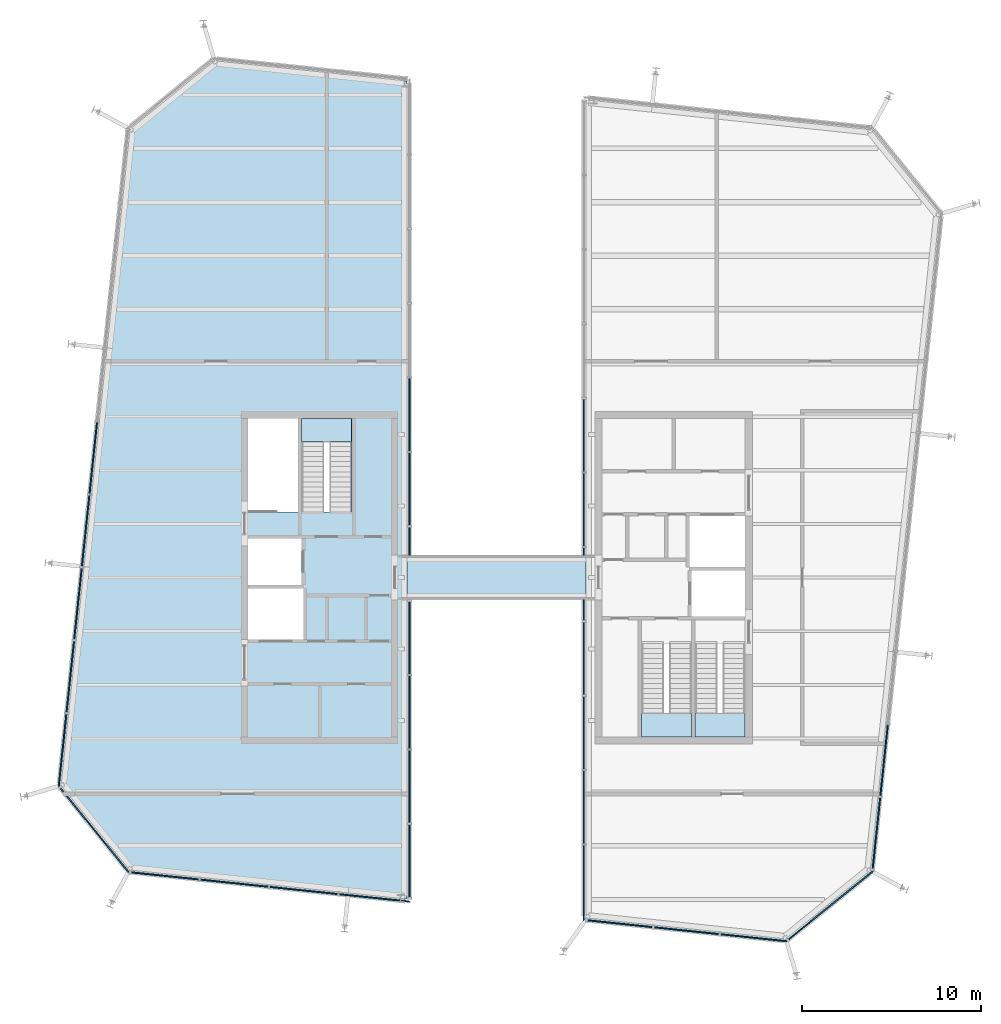
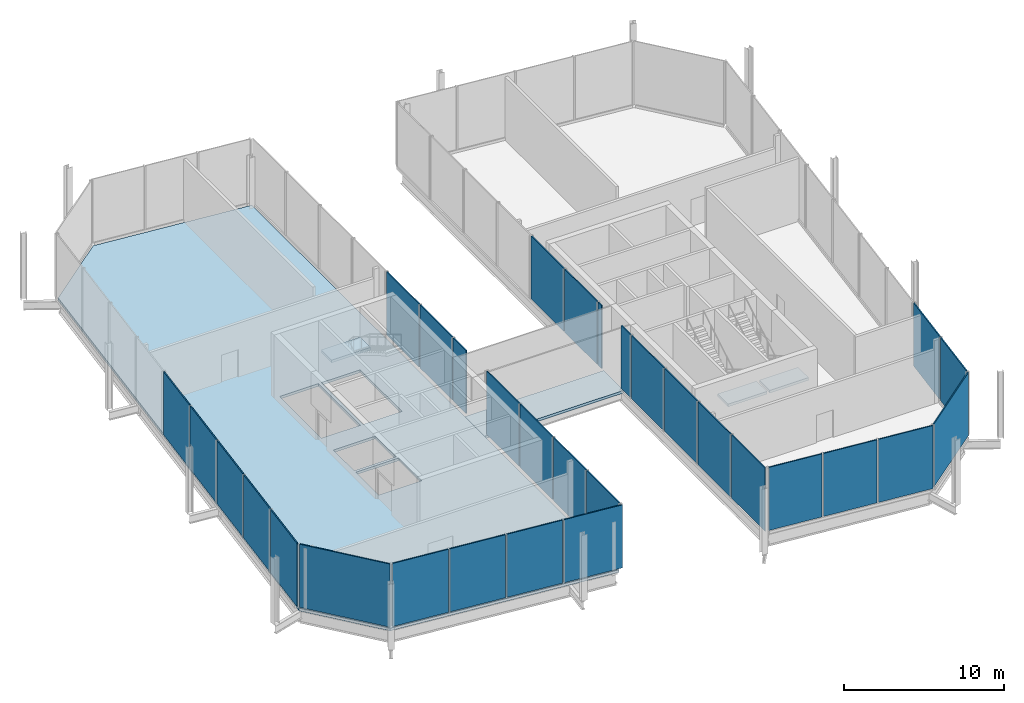
# One storey, part 7 of 12: 31 plates, 5 slabs, 11 elements without a shape of their own.
"""IFC4 building model written with IfcOpenShell, lengths in metres."""

import ifcopenshell
import ifcopenshell.guid

model = None  # the IFC model being written
_history = None  # IfcOwnerHistory: only IFC2X3 demands one
_inside = {}  # id of a spatial element -> (the spatial element, [elements in it])
_under = {}  # id of a project, library or spatial element -> (it, [spatial elements below it])
_declared = {}  # id of a project -> (the project, [libraries it declares])
_typed = {}  # id of a type object -> (the type object, [elements of that type])
_made_of = {}  # id of a material, layer set ... -> (it, [elements and type objects made of it])


def new_model(schema):
    """Start an empty IFC model of exactly this schema.

    Asked for "IFC4X3", IfcOpenShell would pick the latest addendum, in which some entities
    have other attributes; the version numbers below select the first issue.
    IFC2X3 requires an IfcOwnerHistory on every rooted entity: one is made here for all.
    """
    global model, _history
    if schema == "IFC4X3":
        model = ifcopenshell.file(schema_version=(4, 3, 0, 0))
    else:
        model = ifcopenshell.file(schema=schema)
    _inside.clear()
    _under.clear()
    _declared.clear()
    _typed.clear()
    _made_of.clear()
    _history = None
    if model.schema == "IFC2X3":
        org = make("IfcOrganization", Name="unknown")
        user = make(
            "IfcPersonAndOrganization",
            ThePerson=make("IfcPerson", FamilyName="unknown"),
            TheOrganization=org,
        )
        app = make(
            "IfcApplication",
            ApplicationDeveloper=org,
            Version="unknown",
            ApplicationFullName="unknown",
            ApplicationIdentifier="unknown",
        )
        _history = make(
            "IfcOwnerHistory",
            OwningUser=user,
            OwningApplication=app,
            ChangeAction="ADDED",
            CreationDate=0,
        )
    return model


def make(cls, **values):
    """One entity of the class cls with the attributes given. An attribute that is None is left unset."""
    return model.create_entity(
        cls, **{name: value for name, value in values.items() if value is not None}
    )


def rooted(cls, **values):
    """An entity with a GlobalId (a new one), such as an element, a storey or a relation."""
    return make(cls, GlobalId=ifcopenshell.guid.new(), OwnerHistory=_history, **values)


def si_unit(unit_type, name, prefix=None):
    """IfcSIUnit, for example si_unit("LENGTHUNIT", "METRE", prefix="MILLI")."""
    return make("IfcSIUnit", UnitType=unit_type, Prefix=prefix, Name=name)


def assignment(units):
    """IfcUnitAssignment: the units of a project."""
    return None if units is None else make("IfcUnitAssignment", Units=units)


def point(xyz):
    """IfcCartesianPoint."""
    return None if xyz is None else make("IfcCartesianPoint", Coordinates=xyz)


def direction(xyz):
    """IfcDirection."""
    return None if xyz is None else make("IfcDirection", DirectionRatios=xyz)


def frame(location, z_axis=None, x_axis=None):
    """IfcAxis2Placement3D, a coordinate frame: its origin and axes. An axis left out is left unset."""
    return make(
        "IfcAxis2Placement3D",
        Location=point(location),
        Axis=direction(z_axis),
        RefDirection=direction(x_axis),
    )


def origin():
    """The frame at (0, 0, 0) with its axes left unset."""
    return frame((0.0, 0.0, 0.0))


def place(relative_to, where):
    """IfcLocalPlacement: puts the frame where relative to a parent placement (None: the world)."""
    return make(
        "IfcLocalPlacement", PlacementRelTo=relative_to, RelativePlacement=where
    )


def context(
    kind, dimensions, precision=None, world=None, true_north=None, identifier=None
):
    """IfcGeometricRepresentationContext, for example the 3D "Model" context."""
    return make(
        "IfcGeometricRepresentationContext",
        ContextIdentifier=identifier,
        ContextType=kind,
        CoordinateSpaceDimension=dimensions,
        Precision=precision,
        WorldCoordinateSystem=world,
        TrueNorth=true_north,
    )


def subcontext(parent, identifier, kind, view, scale=None):
    """IfcGeometricRepresentationSubContext, for example "Body" below "Model"."""
    return make(
        "IfcGeometricRepresentationSubContext",
        ContextIdentifier=identifier,
        ContextType=kind,
        ParentContext=parent,
        TargetScale=scale,
        TargetView=view,
    )


def project(units=None, contexts=None):
    """IfcProject with its units and contexts."""
    return rooted(
        "IfcProject",
        Name="project",
        RepresentationContexts=contexts,
        UnitsInContext=assignment(units),
    )


def spatial(cls, under=None, at=None, **own):
    """A site, building, storey or space (cls), placed at a placement, below another one or the project."""
    s = rooted(cls, ObjectPlacement=at, **own)
    if under is not None:
        _under.setdefault(under.id(), (under, []))[1].append(s)
    return s


def polyline(points):
    """IfcPolyline through the points."""
    return make("IfcPolyline", Points=[point(p) for p in points])


def outline(outer, holes=None, kind="AREA"):
    """IfcArbitraryClosedProfileDef: a profile drawn as a closed curve; with holes, ...WithVoids."""
    if holes is None:
        return make("IfcArbitraryClosedProfileDef", ProfileType=kind, OuterCurve=outer)
    return make(
        "IfcArbitraryProfileDefWithVoids",
        ProfileType=kind,
        OuterCurve=outer,
        InnerCurves=holes,
    )


def extrude(swept, where, along, depth):
    """IfcExtrudedAreaSolid: the profile swept, set in the frame where, extruded along a direction by depth."""
    return make(
        "IfcExtrudedAreaSolid",
        SweptArea=swept,
        Position=where,
        ExtrudedDirection=direction(along),
        Depth=depth,
    )


def shape(context_of_items, identifier, shape_type, items):
    """IfcShapeRepresentation: the items that make up one representation, for example the "Body"."""
    return make(
        "IfcShapeRepresentation",
        ContextOfItems=context_of_items,
        RepresentationIdentifier=identifier,
        RepresentationType=shape_type,
        Items=items,
    )


def material(Name=None, Category=None):
    """IfcMaterial."""
    return make("IfcMaterial", Name=Name, Category=Category)


def layer(
    of_material, thickness, ventilated=None, Name=None, Category=None, Priority=None
):
    """IfcMaterialLayer: one layer of a wall or slab, of a material (None: an air gap)."""
    return make(
        "IfcMaterialLayer",
        Material=of_material,
        LayerThickness=thickness,
        IsVentilated=ventilated,
        Name=Name,
        Category=Category,
        Priority=Priority,
    )


def layer_set(layers, Name=None):
    """IfcMaterialLayerSet."""
    return make("IfcMaterialLayerSet", MaterialLayers=layers, LayerSetName=Name)


def made_of(thing, what):
    """Note that an element or type object is made of a material, layer set ...; save() writes the relation."""
    if what is not None:
        _made_of.setdefault(what.id(), (what, []))[1].append(thing)
    return thing


def type_object(cls, material=None, **own):
    """A type object (cls), such as IfcWallType, which elements share."""
    return made_of(rooted(cls, **own), material)


def element(
    cls,
    number,
    at=None,
    inside=None,
    cuts=None,
    type_object=None,
    material=None,
    context=None,
    identifier="Body",
    shape_type=None,
    held_by="IfcProductDefinitionShape",
    body=None,
    shapes=None,
    **own,
):
    """One element of the class cls, such as IfcWall. Its Tag is "e" and its number.

    at: its placement. inside: the storey or other place that contains it. cuts: it is an
    opening in that element (IfcRelVoidsElement). A single representation is given by context,
    identifier, shape_type and body (its items); several are given by shapes. held_by: the class
    of the entity that holds the representations. save() writes the other relations.
    """
    e = rooted(cls, Tag="e%d" % number, ObjectPlacement=at, **own)
    if body is not None:
        shapes = [shape(context, identifier, shape_type, body)]
    if shapes is not None:
        e.Representation = make(held_by, Representations=shapes)
    if inside is not None:
        _inside.setdefault(inside.id(), (inside, []))[1].append(e)
    if cuts is not None:
        rooted(
            "IfcRelVoidsElement", RelatingBuildingElement=cuts, RelatedOpeningElement=e
        )
    if type_object is not None:
        _typed.setdefault(type_object.id(), (type_object, []))[1].append(e)
    return made_of(e, material)


def aggregate(whole, parts):
    """IfcRelAggregates: a whole, such as a stair, and the parts it consists of."""
    return rooted("IfcRelAggregates", RelatingObject=whole, RelatedObjects=parts)


def save(model, path):
    """Write the relations noted so far, then the file.

    IfcRelAggregates (storeys below a building ...), IfcRelContainedInSpatialStructure (elements
    in a storey), IfcRelDefinesByType, IfcRelAssociatesMaterial and IfcRelDeclares: one each for
    every whole, place, type object, material and project.
    """
    for whole, parts in _under.values():
        aggregate(whole, parts)
    for where, things in _inside.values():
        rooted(
            "IfcRelContainedInSpatialStructure",
            RelatedElements=things,
            RelatingStructure=where,
        )
    for kind, things in _typed.values():
        rooted("IfcRelDefinesByType", RelatedObjects=things, RelatingType=kind)
    for what, things in _made_of.values():
        rooted("IfcRelAssociatesMaterial", RelatedObjects=things, RelatingMaterial=what)
    for by, libraries in _declared.values():
        rooted("IfcRelDeclares", RelatingContext=by, RelatedDefinitions=libraries)
    model.write(path)


model = new_model("IFC4")

# Units and contexts
model_context = context("Model", 3, precision=1e-05, world=origin(), true_north=direction((0.0, 1.0)))
body_context = subcontext(model_context, "Body", "Model", "MODEL_VIEW")
ifc_project = project(units=[si_unit("LENGTHUNIT", "METRE"), si_unit("AREAUNIT", "SQUARE_METRE"), si_unit("VOLUMEUNIT", "CUBIC_METRE"), si_unit("PLANEANGLEUNIT", "RADIAN"), si_unit("MASSUNIT", "GRAM", prefix="KILO")], contexts=[model_context])

# Site, building, storey
site_placement = place(None, origin())
site = spatial("IfcSite", under=ifc_project, at=site_placement, CompositionType="ELEMENT")
building_placement = place(site_placement, origin())
building = spatial("IfcBuilding", under=site, at=building_placement, Name="Millrace Tower", CompositionType="ELEMENT")
storey_placement = place(building_placement, frame((0.0, 0.0, 347.10009765625)))
storey = spatial("IfcBuildingStorey", under=building, at=storey_placement, Name="L80", CompositionType="ELEMENT", Elevation=347.10009765625)

# Curtain wall, plates
ifc_material_1 = material(Name="Aluminium and glass", Category="aluminium")
ifc_layer_1 = layer(ifc_material_1, 0.25)
ifc_layer_set_1 = layer_set([ifc_layer_1], Name="Aluminium and glass")
curtain_wall_type = type_object("IfcCurtainWallType", Name="CW-7 crown louvred enclosure", PredefinedType="NOTDEFINED", material=ifc_layer_set_1)
placement_1 = place(storey_placement, origin())
curtain_wall_1 = element("IfcCurtainWall", 1, at=placement_1, inside=storey, type_object=curtain_wall_type, Name="Curtain wall CW-F01 L80", PredefinedType="NOTDEFINED")
ifc_material_2 = material(Name="Glass", Category="glass")
ifc_layer_2 = layer(ifc_material_2, 0.080078125)
ifc_layer_set_2 = layer_set([ifc_layer_2], Name="Glass")
plate_type = type_object("IfcPlateType", Name="CW-7 crown louvred enclosure fixed louvre panel", PredefinedType="CURTAIN_PANEL", material=ifc_layer_set_2)
placement_2 = place(storey_placement, frame((0.0, 0.0, 0.199951171875)))
plate_1 = element("IfcPlate", 2, at=placement_2, type_object=plate_type, Name="CW7 panel CW-F01.1", PredefinedType="CURTAIN_PANEL", context=body_context, shape_type="SweptSolid", body=[
    extrude(outline(polyline([(-4.8349609375, -17.878662109375), (-4.8349609375, -13.819580078125), (-4.9150390625, -13.819580078125), (-4.9150390625, -17.878662109375), (-4.8349609375, -17.878662109375)])), origin(), (0.0, 0.0, 1.0), 4.800048828125),
])
plate_2 = element("IfcPlate", 3, at=placement_2, type_object=plate_type, Name="CW7 panel CW-F01.2", PredefinedType="CURTAIN_PANEL", context=body_context, shape_type="SweptSolid", body=[
    extrude(outline(polyline([(-4.8349609375, -13.7197265625), (-4.8349609375, -9.660400390625), (-4.9150390625, -9.660400390625), (-4.9150390625, -13.7197265625), (-4.8349609375, -13.7197265625)])), origin(), (0.0, 0.0, 1.0), 4.800048828125),
])
plate_3 = element("IfcPlate", 4, at=placement_2, type_object=plate_type, Name="CW7 panel CW-F01.3", PredefinedType="CURTAIN_PANEL", context=body_context, shape_type="SweptSolid", body=[
    extrude(outline(polyline([(-4.8349609375, -9.560546875), (-4.8349609375, -5.501220703125), (-4.9150390625, -5.501220703125), (-4.9150390625, -9.560546875), (-4.8349609375, -9.560546875)])), origin(), (0.0, 0.0, 1.0), 4.800048828125),
])
plate_4 = element("IfcPlate", 5, at=placement_2, type_object=plate_type, Name="CW7 panel CW-F01.4", PredefinedType="CURTAIN_PANEL", context=body_context, shape_type="SweptSolid", body=[
    extrude(outline(polyline([(-4.8349609375, -5.4013671875), (-4.8349609375, -1.34228515625), (-4.9150390625, -1.34228515625), (-4.9150390625, -5.4013671875), (-4.8349609375, -5.4013671875)])), origin(), (0.0, 0.0, 1.0), 4.800048828125),
])
plate_5 = element("IfcPlate", 6, at=placement_2, type_object=plate_type, Name="CW7 panel CW-F01.6", PredefinedType="CURTAIN_PANEL", context=body_context, shape_type="SweptSolid", body=[
    extrude(outline(polyline([(-4.8349609375, 2.9169921875), (-4.8349609375, 6.97607421875), (-4.9150390625, 6.97607421875), (-4.9150390625, 2.9169921875), (-4.8349609375, 2.9169921875)])), origin(), (0.0, 0.0, 1.0), 4.800048828125),
])
plate_6 = element("IfcPlate", 7, at=placement_2, type_object=plate_type, Name="CW7 panel CW-F01.7", PredefinedType="CURTAIN_PANEL", context=body_context, shape_type="SweptSolid", body=[
    extrude(outline(polyline([(-4.8349609375, 7.076171875), (-4.8349609375, 11.13525390625), (-4.9150390625, 11.13525390625), (-4.9150390625, 7.076171875), (-4.8349609375, 7.076171875)])), origin(), (0.0, 0.0, 1.0), 4.800048828125),
])

curtain_wall_2 = element("IfcCurtainWall", 8, at=placement_1, inside=storey, type_object=curtain_wall_type, Name="Curtain wall CW-F04 L80", PredefinedType="NOTDEFINED")
plate_7 = element("IfcPlate", 9, at=placement_2, type_object=plate_type, Name="CW7 panel CW-F04.5", PredefinedType="CURTAIN_PANEL", context=body_context, shape_type="SweptSolid", body=[
    extrude(outline(polyline([(-22.3857421875, 8.6845703125), (-22.8037109375, 4.70654296875), (-22.72412109375, 4.6982421875), (-22.30615234375, 8.67626953125), (-22.3857421875, 8.6845703125)])), origin(), (0.0, 0.0, 1.0), 4.800048828125),
])
plate_8 = element("IfcPlate", 10, at=placement_2, type_object=plate_type, Name="CW7 panel CW-F04.6", PredefinedType="CURTAIN_PANEL", context=body_context, shape_type="SweptSolid", body=[
    extrude(outline(polyline([(-22.814208984375, 4.60693359375), (-23.232421875, 0.62890625), (-23.15283203125, 0.62060546875), (-22.734619140625, 4.5986328125), (-22.814208984375, 4.60693359375)])), origin(), (0.0, 0.0, 1.0), 4.800048828125),
])
plate_9 = element("IfcPlate", 11, at=placement_2, type_object=plate_type, Name="CW7 panel CW-F04.7", PredefinedType="CURTAIN_PANEL", context=body_context, shape_type="SweptSolid", body=[
    extrude(outline(polyline([(-23.24267578125, 0.529541015625), (-23.660888671875, -3.448486328125), (-23.581298828125, -3.45703125), (-23.163330078125, 0.521240234375), (-23.24267578125, 0.529541015625)])), origin(), (0.0, 0.0, 1.0), 4.800048828125),
])
plate_10 = element("IfcPlate", 12, at=placement_2, type_object=plate_type, Name="CW7 panel CW-F04.8", PredefinedType="CURTAIN_PANEL", context=body_context, shape_type="SweptSolid", body=[
    extrude(outline(polyline([(-23.67138671875, -3.548095703125), (-24.08935546875, -7.526123046875), (-24.010009765625, -7.534423828125), (-23.591796875, -3.556396484375), (-23.67138671875, -3.548095703125)])), origin(), (0.0, 0.0, 1.0), 4.800048828125),
])
plate_11 = element("IfcPlate", 13, at=placement_2, type_object=plate_type, Name="CW7 panel CW-F04.9", PredefinedType="CURTAIN_PANEL", context=body_context, shape_type="SweptSolid", body=[
    extrude(outline(polyline([(-24.099853515625, -7.62548828125), (-24.525146484375, -11.671630859375), (-24.442138671875, -11.64697265625), (-24.020263671875, -7.634033203125), (-24.099853515625, -7.62548828125)])), origin(), (0.0, 0.0, 1.0), 4.800048828125),
])
aggregate(curtain_wall_2, [plate_7, plate_8, plate_9, plate_10, plate_11])

# Curtain wall, plate
curtain_wall_3 = element("IfcCurtainWall", 14, at=placement_1, inside=storey, type_object=curtain_wall_type, Name="Curtain wall CW-F05 L80", PredefinedType="NOTDEFINED")
plate_12 = element("IfcPlate", 15, at=placement_2, type_object=plate_type, Name="CW7 panel CW-F05.1", PredefinedType="CURTAIN_PANEL", context=body_context, shape_type="SweptSolid", body=[
    extrude(outline(polyline([(-24.419189453125, -11.802490234375), (-20.612060546875, -16.503662109375), (-20.57080078125, -16.427734375), (-24.35693359375, -11.752197265625), (-24.419189453125, -11.802490234375)])), origin(), (0.0, 0.0, 1.0), 4.800048828125),
])
aggregate(curtain_wall_3, [plate_12])

# Curtain wall, plates
curtain_wall_4 = element("IfcCurtainWall", 16, at=placement_1, inside=storey, type_object=curtain_wall_type, Name="Curtain wall CW-F06 L80", PredefinedType="NOTDEFINED")
plate_13 = element("IfcPlate", 17, at=placement_2, type_object=plate_type, Name="CW7 panel CW-F06.1", PredefinedType="CURTAIN_PANEL", context=body_context, shape_type="SweptSolid", body=[
    extrude(outline(polyline([(-20.44482421875, -16.521484375), (-16.662353515625, -16.9189453125), (-16.654052734375, -16.83935546875), (-20.436279296875, -16.44189453125), (-20.44482421875, -16.521484375)])), origin(), (0.0, 0.0, 1.0), 4.800048828125),
])
plate_14 = element("IfcPlate", 18, at=placement_2, type_object=plate_type, Name="CW7 panel CW-F06.2", PredefinedType="CURTAIN_PANEL", context=body_context, shape_type="SweptSolid", body=[
    extrude(outline(polyline([(-16.56298828125, -16.929443359375), (-12.78076171875, -17.326904296875), (-12.7724609375, -17.247314453125), (-16.5546875, -16.849853515625), (-16.56298828125, -16.929443359375)])), origin(), (0.0, 0.0, 1.0), 4.800048828125),
])
plate_15 = element("IfcPlate", 19, at=placement_2, type_object=plate_type, Name="CW7 panel CW-F06.3", PredefinedType="CURTAIN_PANEL", context=body_context, shape_type="SweptSolid", body=[
    extrude(outline(polyline([(-12.68115234375, -17.33740234375), (-8.89892578125, -17.73486328125), (-8.890625, -17.6552734375), (-12.6728515625, -17.2578125), (-12.68115234375, -17.33740234375)])), origin(), (0.0, 0.0, 1.0), 4.800048828125),
])
plate_16 = element("IfcPlate", 20, at=placement_2, type_object=plate_type, Name="CW7 panel CW-F06.4", PredefinedType="CURTAIN_PANEL", context=body_context, shape_type="SweptSolid", body=[
    extrude(outline(polyline([(-8.799560546875, -17.745361328125), (-4.8349609375, -18.162109375), (-4.9150390625, -18.0732421875), (-8.791259765625, -17.665771484375), (-8.799560546875, -17.745361328125)])), origin(), (0.0, 0.0, 1.0), 4.800048828125),
])
aggregate(curtain_wall_4, [plate_13, plate_14, plate_15, plate_16])

curtain_wall_5 = element("IfcCurtainWall", 21, at=placement_1, inside=storey, type_object=curtain_wall_type, Name="Curtain wall CE-F01 L80", PredefinedType="NOTDEFINED")
plate_17 = element("IfcPlate", 22, at=placement_2, type_object=plate_type, Name="CW7 panel CE-F01.5", PredefinedType="CURTAIN_PANEL", context=body_context, shape_type="SweptSolid", body=[
    extrude(outline(polyline([(4.8349609375, 9.984130859375), (4.8349609375, 5.925048828125), (4.9150390625, 5.925048828125), (4.9150390625, 9.984130859375), (4.8349609375, 9.984130859375)])), origin(), (0.0, 0.0, 1.0), 4.800048828125),
])
plate_18 = element("IfcPlate", 23, at=placement_2, type_object=plate_type, Name="CW7 panel CE-F01.6", PredefinedType="CURTAIN_PANEL", context=body_context, shape_type="SweptSolid", body=[
    extrude(outline(polyline([(4.8349609375, 5.824951171875), (4.8349609375, 1.765869140625), (4.9150390625, 1.765869140625), (4.9150390625, 5.824951171875), (4.8349609375, 5.824951171875)])), origin(), (0.0, 0.0, 1.0), 4.800048828125),
])
plate_19 = element("IfcPlate", 24, at=placement_2, type_object=plate_type, Name="CW7 panel CE-F01.8", PredefinedType="CURTAIN_PANEL", context=body_context, shape_type="SweptSolid", body=[
    extrude(outline(polyline([(4.8349609375, -2.4931640625), (4.8349609375, -6.552490234375), (4.9150390625, -6.552490234375), (4.9150390625, -2.4931640625), (4.8349609375, -2.4931640625)])), origin(), (0.0, 0.0, 1.0), 4.800048828125),
])
plate_20 = element("IfcPlate", 25, at=placement_2, type_object=plate_type, Name="CW7 panel CE-F01.9", PredefinedType="CURTAIN_PANEL", context=body_context, shape_type="SweptSolid", body=[
    extrude(outline(polyline([(4.8349609375, -6.65234375), (4.8349609375, -10.71142578125), (4.9150390625, -10.71142578125), (4.9150390625, -6.65234375), (4.8349609375, -6.65234375)])), origin(), (0.0, 0.0, 1.0), 4.800048828125),
])
plate_21 = element("IfcPlate", 26, at=placement_2, type_object=plate_type, Name="CW7 panel CE-F01.10", PredefinedType="CURTAIN_PANEL", context=body_context, shape_type="SweptSolid", body=[
    extrude(outline(polyline([(4.8349609375, -10.8115234375), (4.8349609375, -14.87060546875), (4.9150390625, -14.87060546875), (4.9150390625, -10.8115234375), (4.8349609375, -10.8115234375)])), origin(), (0.0, 0.0, 1.0), 4.800048828125),
])
plate_22 = element("IfcPlate", 27, at=placement_2, type_object=plate_type, Name="CW7 panel CE-F01.11", PredefinedType="CURTAIN_PANEL", context=body_context, shape_type="SweptSolid", body=[
    extrude(outline(polyline([(4.8349609375, -14.970703125), (4.8349609375, -19.178466796875), (4.9150390625, -19.1064453125), (4.9150390625, -14.970703125), (4.8349609375, -14.970703125)])), origin(), (0.0, 0.0, 1.0), 4.800048828125),
])

curtain_wall_6 = element("IfcCurtainWall", 28, at=placement_1, inside=storey, type_object=curtain_wall_type, Name="Curtain wall CE-F02 L80", PredefinedType="NOTDEFINED")
plate_23 = element("IfcPlate", 29, at=placement_2, type_object=plate_type, Name="CW7 panel CE-F02.1", PredefinedType="CURTAIN_PANEL", context=body_context, shape_type="SweptSolid", body=[
    extrude(outline(polyline([(5.082275390625, -19.204345703125), (8.706298828125, -19.585205078125), (8.71484375, -19.505615234375), (5.090576171875, -19.124755859375), (5.082275390625, -19.204345703125)])), origin(), (0.0, 0.0, 1.0), 4.800048828125),
])
plate_24 = element("IfcPlate", 30, at=placement_2, type_object=plate_type, Name="CW7 panel CE-F02.2", PredefinedType="CURTAIN_PANEL", context=body_context, shape_type="SweptSolid", body=[
    extrude(outline(polyline([(8.805908203125, -19.595703125), (12.429931640625, -19.9765625), (12.4384765625, -19.89697265625), (8.814208984375, -19.51611328125), (8.805908203125, -19.595703125)])), origin(), (0.0, 0.0, 1.0), 4.800048828125),
])
plate_25 = element("IfcPlate", 31, at=placement_2, type_object=plate_type, Name="CW7 panel CE-F02.3", PredefinedType="CURTAIN_PANEL", context=body_context, shape_type="SweptSolid", body=[
    extrude(outline(polyline([(12.529541015625, -19.987060546875), (16.2216796875, -20.375244140625), (16.197021484375, -20.292236328125), (12.537841796875, -19.907470703125), (12.529541015625, -19.987060546875)])), origin(), (0.0, 0.0, 1.0), 4.800048828125),
])
aggregate(curtain_wall_6, [plate_23, plate_24, plate_25])

# Curtain wall, plate
curtain_wall_7 = element("IfcCurtainWall", 32, at=placement_1, inside=storey, type_object=curtain_wall_type, Name="Curtain wall CE-F03 L80", PredefinedType="NOTDEFINED")
plate_26 = element("IfcPlate", 33, at=placement_2, type_object=plate_type, Name="CW7 panel CE-F03.1", PredefinedType="CURTAIN_PANEL", context=body_context, shape_type="SweptSolid", body=[
    extrude(outline(polyline([(16.3525390625, -20.269287109375), (21.0537109375, -16.462158203125), (20.977783203125, -16.4208984375), (16.302001953125, -20.20703125), (16.3525390625, -20.269287109375)])), origin(), (0.0, 0.0, 1.0), 4.800048828125),
])
aggregate(curtain_wall_7, [plate_26])

# Curtain wall, plates
curtain_wall_8 = element("IfcCurtainWall", 34, at=placement_1, inside=storey, type_object=curtain_wall_type, Name="Curtain wall CE-F04 L80", PredefinedType="NOTDEFINED")
plate_27 = element("IfcPlate", 35, at=placement_2, type_object=plate_type, Name="CW7 panel CE-F04.1", PredefinedType="CURTAIN_PANEL", context=body_context, shape_type="SweptSolid", body=[
    extrude(outline(polyline([(21.0712890625, -16.294677734375), (21.489501953125, -12.316650390625), (21.409912109375, -12.308349609375), (20.99169921875, -16.286376953125), (21.0712890625, -16.294677734375)])), origin(), (0.0, 0.0, 1.0), 4.800048828125),
])
plate_28 = element("IfcPlate", 36, at=placement_2, type_object=plate_type, Name="CW7 panel CE-F04.2", PredefinedType="CURTAIN_PANEL", context=body_context, shape_type="SweptSolid", body=[
    extrude(outline(polyline([(21.5, -12.21728515625), (21.91796875, -8.239013671875), (21.83837890625, -8.230712890625), (21.42041015625, -12.208740234375), (21.5, -12.21728515625)])), origin(), (0.0, 0.0, 1.0), 4.800048828125),
])
aggregate(curtain_wall_8, [plate_27, plate_28])

# Plate
plate_29 = element("IfcPlate", 37, at=placement_2, type_object=plate_type, Name="CW7 panel CW-F01.5", PredefinedType="CURTAIN_PANEL", context=body_context, shape_type="SweptSolid", body=[
    extrude(outline(polyline([(-4.8349609375, 1.239990234375), (-4.8349609375, 2.81689453125), (-4.9150390625, 2.81689453125), (-4.9150390625, 1.239990234375), (-4.8349609375, 1.239990234375)])), origin(), (0.0, 0.0, 1.0), 4.800048828125),
])

aggregate(curtain_wall_1, [plate_1, plate_2, plate_3, plate_4, plate_5, plate_6, plate_29])

plate_30 = element("IfcPlate", 38, at=placement_2, type_object=plate_type, Name="CW7 panel CE-F01.7", PredefinedType="CURTAIN_PANEL", context=body_context, shape_type="SweptSolid", body=[
    extrude(outline(polyline([(4.8349609375, -1.239990234375), (4.8349609375, -2.393310546875), (4.9150390625, -2.393310546875), (4.9150390625, -1.239990234375), (4.8349609375, -1.239990234375)])), origin(), (0.0, 0.0, 1.0), 4.800048828125),
])

plate_31 = element("IfcPlate", 39, at=placement_2, type_object=plate_type, Name="CW7 panel CE-F01.7", PredefinedType="CURTAIN_PANEL", context=body_context, shape_type="SweptSolid", body=[
    extrude(outline(polyline([(4.8349609375, 1.666015625), (4.8349609375, 1.239990234375), (4.9150390625, 1.239990234375), (4.9150390625, 1.666015625), (4.8349609375, 1.666015625)])), origin(), (0.0, 0.0, 1.0), 4.800048828125),
])

aggregate(curtain_wall_5, [plate_17, plate_18, plate_19, plate_20, plate_21, plate_22, plate_30, plate_31])

# Slabs
ifc_material_3 = material(Name="Concrete C35 on steel deck", Category="concrete")
ifc_layer_3 = layer(ifc_material_3, 0.199951171875)
ifc_layer_set_3 = layer_set([ifc_layer_3], Name="Concrete C35 on steel deck")
slab_type_1 = type_object("IfcSlabType", Name="Composite floor slab 200 mm", PredefinedType="FLOOR", material=ifc_layer_set_3)
placement_3 = place(storey_placement, frame((0.0, 0.0, -0.2001953125)))
element("IfcSlab", 40, at=placement_3, inside=storey, type_object=slab_type_1, Name="SL-CROWN-L80-SW", PredefinedType="FLOOR", context=body_context, shape_type="SweptSolid", body=[
    extrude(outline(polyline([(-5.0, -17.978759765625), (-5.0, 27.77197265625), (-15.77099609375, 28.90380859375), (-20.496826171875, 25.076904296875), (-24.35400390625, -11.620849609375), (-20.52685546875, -16.346923828125), (-5.0, -17.978759765625)]), holes=[polyline([(-13.89990234375, -3.449951171875), (-10.800048828125, -3.449951171875), (-10.800048828125, -0.60009765625), (-13.89990234375, -0.60009765625), (-13.89990234375, -3.449951171875)]), polyline([(-13.89990234375, -0.39990234375), (-10.89990234375, -0.39990234375), (-10.89990234375, 2.179931640625), (-13.89990234375, 2.179931640625), (-13.89990234375, -0.39990234375)]), polyline([(-13.89990234375, 3.679931640625), (-11.10009765625, 3.679931640625), (-11.10009765625, 8.89990234375), (-13.89990234375, 8.89990234375), (-13.89990234375, 3.679931640625)]), polyline([(-10.89990234375, 3.679931640625), (-8.10009765625, 3.679931640625), (-8.10009765625, 8.89990234375), (-10.89990234375, 8.89990234375), (-10.89990234375, 3.679931640625)])]), origin(), (0.0, 0.0, 1.0), 0.2001953125),
])
element("IfcSlab", 41, at=placement_3, inside=storey, type_object=slab_type_1, Name="SL-LK-L80", PredefinedType="FLOOR", context=body_context, shape_type="SweptSolid", body=[
    extrude(outline(polyline([(-5.0, -1.239990234375), (5.0, -1.239990234375), (5.0, 1.239990234375), (-5.0, 1.239990234375), (-5.0, -1.239990234375)])), origin(), (0.0, 0.0, 1.0), 0.2001953125),
])

# Stair, slab
ifc_material_4 = material(Name="Concrete C35", Category="concrete")
stair_type = type_object("IfcStairType", Name="Exit stair", PredefinedType="HALF_TURN_STAIR", material=ifc_material_4)
stair_1 = element("IfcStair", 42, at=placement_1, inside=storey, type_object=stair_type, Name="Stair 2 W L80", PredefinedType="HALF_TURN_STAIR")
ifc_material_5 = material(Name="Concrete C40", Category="concrete")
ifc_layer_4 = layer(ifc_material_5, 0.199951171875)
ifc_layer_set_4 = layer_set([ifc_layer_4], Name="Concrete C40")
slab_type_2 = type_object("IfcSlabType", Name="Stair landing", PredefinedType="LANDING", material=ifc_layer_set_4)
placement_4 = place(storey_placement, frame((0.0, 0.0, 2.2998046875)))
slab_3 = element("IfcSlab", 43, at=placement_4, type_object=slab_type_2, Name="ST12 landing 1", PredefinedType="LANDING", context=body_context, shape_type="SweptSolid", body=[
    extrude(outline(polyline([(-10.89990234375, 7.60009765625), (-8.10009765625, 7.60009765625), (-8.10009765625, 8.89990234375), (-10.89990234375, 8.89990234375), (-10.89990234375, 7.60009765625)])), origin(), (0.0, 0.0, 1.0), 0.2001953125),
])
aggregate(stair_1, [slab_3])

stair_2 = element("IfcStair", 44, at=placement_1, inside=storey, type_object=stair_type, Name="Stair 1 E L80", PredefinedType="HALF_TURN_STAIR")
slab_4 = element("IfcSlab", 45, at=placement_4, type_object=slab_type_2, Name="ST12 landing 1", PredefinedType="LANDING", context=body_context, shape_type="SweptSolid", body=[
    extrude(outline(polyline([(11.10009765625, -8.89990234375), (13.89990234375, -8.89990234375), (13.89990234375, -7.60009765625), (11.10009765625, -7.60009765625), (11.10009765625, -8.89990234375)])), origin(), (0.0, 0.0, 1.0), 0.2001953125),
])
aggregate(stair_2, [slab_4])

stair_3 = element("IfcStair", 46, at=placement_1, inside=storey, type_object=stair_type, Name="Stair 2 E L80", PredefinedType="HALF_TURN_STAIR")
slab_5 = element("IfcSlab", 47, at=placement_4, type_object=slab_type_2, Name="ST12 landing 1", PredefinedType="LANDING", context=body_context, shape_type="SweptSolid", body=[
    extrude(outline(polyline([(8.10009765625, -8.89990234375), (10.89990234375, -8.89990234375), (10.89990234375, -7.60009765625), (8.10009765625, -7.60009765625), (8.10009765625, -8.89990234375)])), origin(), (0.0, 0.0, 1.0), 0.2001953125),
])
aggregate(stair_3, [slab_5])

save(model, "model.ifc")
